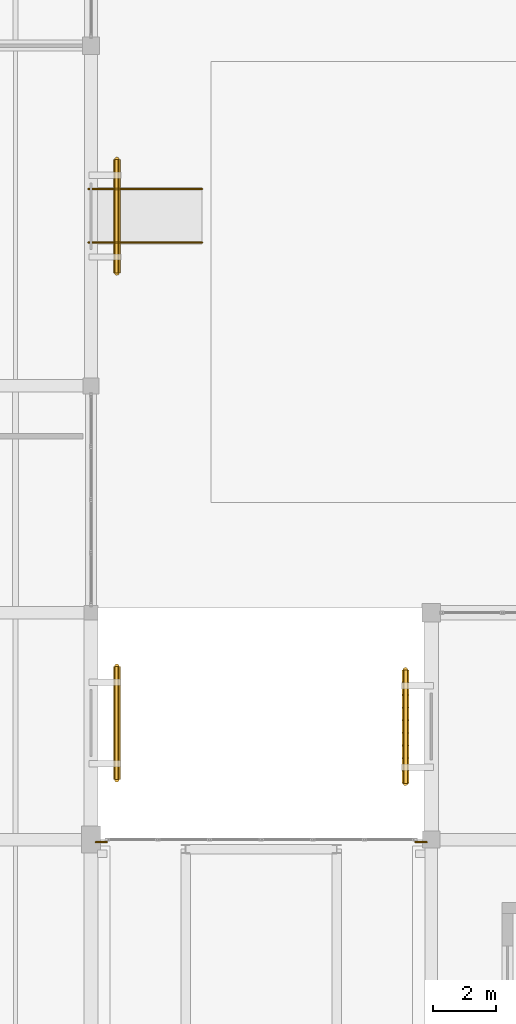
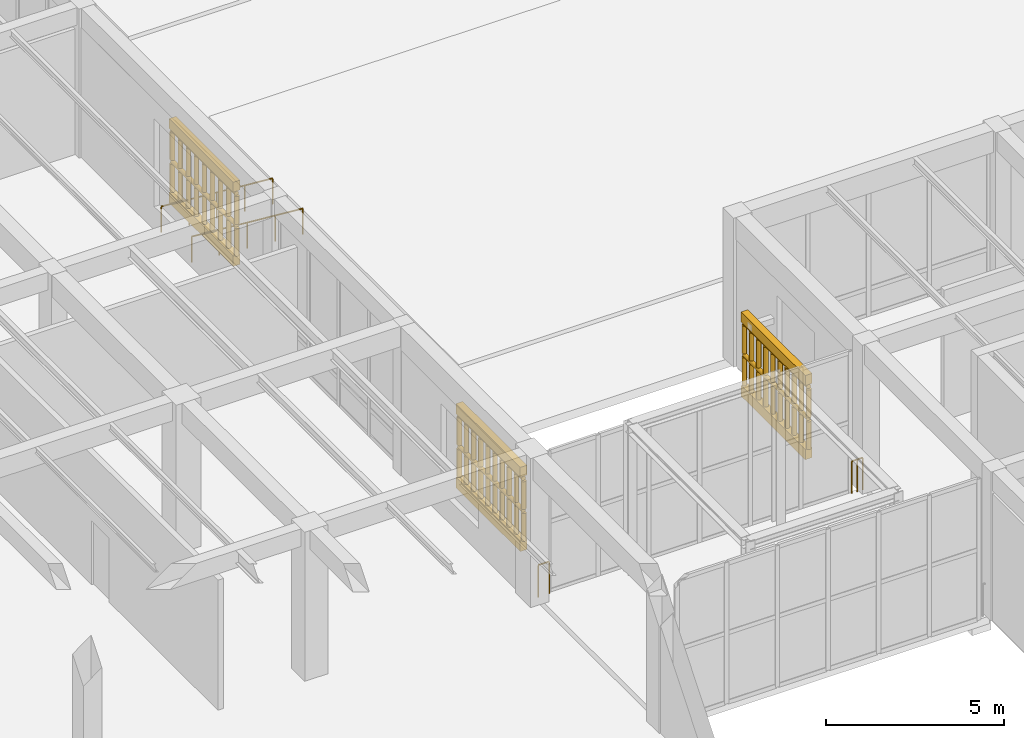
# One storey, part 147 of 169: 10 railings, 6 coverings.
"""IFC4 building model written with IfcOpenShell, lengths in metres."""

from ifc_helpers import new_model, si_unit, direction, frame, origin, origin_2d, place, context, subcontext, project, spatial, polyline, circle, outline, extrude, material, layer, layer_set, type_object, element, save


model = new_model("IFC4")

# Units and contexts
model_context = context("Model", 3, precision=1e-05, world=origin(), true_north=direction((0.0, 1.0)))
body_context = subcontext(model_context, "Body", "Model", "MODEL_VIEW")
ifc_project = project(units=[si_unit("LENGTHUNIT", "METRE"), si_unit("AREAUNIT", "SQUARE_METRE"), si_unit("VOLUMEUNIT", "CUBIC_METRE"), si_unit("PLANEANGLEUNIT", "RADIAN"), si_unit("MASSUNIT", "GRAM", prefix="KILO")], contexts=[model_context])

# Site, building, storey
site_placement = place(None, origin())
site = spatial("IfcSite", under=ifc_project, at=site_placement, CompositionType="ELEMENT")
building_placement = place(site_placement, origin())
building = spatial("IfcBuilding", under=site, at=building_placement, Name="Mazaris Harbour Polytechnic", CompositionType="ELEMENT")
storey_placement = place(building_placement, origin())
storey = spatial("IfcBuildingStorey", under=building, at=storey_placement, Name="L00", CompositionType="ELEMENT", Elevation=0.0)

# Railings
ifc_material_1 = material(Name="Stainless Steel S355", Category="steel")
railing_type_1 = type_object("IfcRailingType", Name="Accessible Ramp Handrail 900", PredefinedType="HANDRAIL", material=ifc_material_1)
for number, where, name in (
    (1, (46.719970703125, 47.75, -0.300048828125), "RAMP-03 Handrail L"),
    (2, (46.719970703125, 49.449951171875, -0.300048828125), "RAMP-03 Handrail R"),
):
    element("IfcRailing", number, at=place(storey_placement, frame(where)), inside=storey, type_object=railing_type_1, Name=name, PredefinedType="HANDRAIL", context=body_context, shape_type="SweptSolid", body=[
        extrude(circle(Radius=0.02392578125, at=origin_2d()), frame((0.0, 0.0, 0.8759765625), z_axis=(-0.996544359788, 0.0, 0.083062259626), x_axis=(0.0, -1.0, 0.0)), (0.0, 0.0, 1.0), 3.6123046875),
        extrude(circle(Radius=0.02099609375, at=origin_2d()), origin(), (0.0, 0.0, 1.0), 0.851806640625),
        extrude(circle(Radius=0.02099609375, at=origin_2d()), frame((-0.89990234375, 0.0, 0.074951171875)), (0.0, 0.0, 1.0), 0.851806640625),
        extrude(circle(Radius=0.02099609375, at=origin_2d()), frame((-1.7998046875, 0.0, 0.14990234375)), (0.0, 0.0, 1.0), 0.851806640625),
        extrude(circle(Radius=0.02099609375, at=origin_2d()), frame((-2.699951171875, 0.0, 0.22509765625)), (0.0, 0.0, 1.0), 0.851806640625),
        extrude(circle(Radius=0.02099609375, at=origin_2d()), frame((-3.599853515625, 0.0, 0.300048828125)), (0.0, 0.0, 1.0), 0.851806640625),
    ])
ifc_material_2 = material(Name="Steel S355", Category="steel")
railing_type_2 = type_object("IfcRailingType", Name="Mezzanine Steel Guardrail 1100 Exterior", PredefinedType="GUARDRAIL", material=ifc_material_2)
railing_1_placement = place(storey_placement, frame((43.35009765625, 28.719970703125, 0.0)))
element("IfcRailing", 3, at=railing_1_placement, inside=storey, type_object=railing_type_2, Name="PB-W1 L00 Bridge End Guard W1", PredefinedType="GUARDRAIL", context=body_context, shape_type="SweptSolid", body=[
    extrude(circle(Radius=0.02392578125, at=origin_2d()), frame((0.0, 0.0, 1.09619140625), z_axis=(1.0, 0.0, 0.0), x_axis=(0.0, 1.0, 0.0)), (0.0, 0.0, 1.0), 0.349853515625),
    extrude(circle(Radius=0.02099609375, at=origin_2d()), origin(), (0.0, 0.0, 1.0), 1.072021484375),
    extrude(circle(Radius=0.02099609375, at=origin_2d()), frame((0.349853515625, 0.0, 0.0)), (0.0, 0.0, 1.0), 1.072021484375),
])
railing_2_placement = place(storey_placement, frame((53.5, 28.719970703125, 0.0)))
element("IfcRailing", 4, at=railing_2_placement, inside=storey, type_object=railing_type_2, Name="PB-W1 L00 Bridge End Guard E1", PredefinedType="GUARDRAIL", context=body_context, shape_type="SweptSolid", body=[
    extrude(circle(Radius=0.02392578125, at=origin_2d()), frame((0.0, 0.0, 1.09619140625), z_axis=(1.0, 0.0, 0.0), x_axis=(0.0, 1.0, 0.0)), (0.0, 0.0, 1.0), 0.35009765625),
    extrude(circle(Radius=0.02099609375, at=origin_2d()), origin(), (0.0, 0.0, 1.0), 1.072021484375),
    extrude(circle(Radius=0.02099609375, at=origin_2d()), frame((0.175048828125, 0.0, 0.0)), (0.0, 0.0, 1.0), 1.072021484375),
    extrude(circle(Radius=0.02099609375, at=origin_2d()), frame((0.35009765625, 0.0, 0.0)), (0.0, 0.0, 1.0), 1.072021484375),
])
ifc_material_3 = material(Name="Perforated Earth-Coloured Terracotta Block", Category="masonry")
railing_type_3 = type_object("IfcRailingType", Name="Perforated Earth-Block Claustra Lattice 1040", PredefinedType="BALUSTRADE", material=ifc_material_3)
for number, where, name in (
    (5, (53.179931640625, 30.58740234375, 0.52001953125), "V3 L00 Lower Perforated Terracotta Block Screen 108"),
    (6, (53.179931640625, 30.58740234375, 1.610107421875), "V3 L00 Upper Perforated Terracotta Block Screen 108"),
):
    element("IfcRailing", number, at=place(storey_placement, frame(where)), inside=storey, type_object=railing_type_3, Name=name, PredefinedType="BALUSTRADE", context=body_context, shape_type="SweptSolid", body=[
        extrude(circle(Radius=0.06982421875, at=origin_2d()), frame((0.0, 0.0, 1.02001953125), z_axis=(0.0, 1.0, 0.0), x_axis=(-1.0, 0.0, 0.0)), (0.0, 0.0, 1.0), 3.60009765625),
        extrude(circle(Radius=0.074951171875, at=origin_2d()), origin(), (0.0, 0.0, 1.0), 0.9501953125),
        extrude(circle(Radius=0.074951171875, at=origin_2d()), frame((0.0, 0.39990234375, 0.0)), (0.0, 0.0, 1.0), 0.9501953125),
        extrude(circle(Radius=0.074951171875, at=origin_2d()), frame((0.0, 0.800048828125, 0.0)), (0.0, 0.0, 1.0), 0.9501953125),
        extrude(circle(Radius=0.074951171875, at=origin_2d()), frame((0.0, 1.199951171875, 0.0)), (0.0, 0.0, 1.0), 0.9501953125),
        extrude(circle(Radius=0.074951171875, at=origin_2d()), frame((0.0, 1.60009765625, 0.0)), (0.0, 0.0, 1.0), 0.9501953125),
        extrude(circle(Radius=0.074951171875, at=origin_2d()), frame((0.0, 2.0, 0.0)), (0.0, 0.0, 1.0), 0.9501953125),
        extrude(circle(Radius=0.074951171875, at=origin_2d()), frame((0.0, 2.400146484375, 0.0)), (0.0, 0.0, 1.0), 0.9501953125),
        extrude(circle(Radius=0.074951171875, at=origin_2d()), frame((0.0, 2.800048828125, 0.0)), (0.0, 0.0, 1.0), 0.9501953125),
        extrude(circle(Radius=0.074951171875, at=origin_2d()), frame((0.0, 3.2001953125, 0.0)), (0.0, 0.0, 1.0), 0.9501953125),
        extrude(circle(Radius=0.074951171875, at=origin_2d()), frame((0.0, 3.60009765625, 0.0)), (0.0, 0.0, 1.0), 0.9501953125),
    ])
for number, where, name in (
    (7, (44.02001953125, 34.300048828125, 0.52001953125), "V4 L00 Lower Perforated Terracotta Block Screen 145"),
    (8, (44.02001953125, 34.300048828125, 1.610107421875), "V4 L00 Upper Perforated Terracotta Block Screen 145"),
):
    element("IfcRailing", number, at=place(storey_placement, frame(where)), inside=storey, type_object=railing_type_3, Name=name, PredefinedType="BALUSTRADE", context=body_context, shape_type="SweptSolid", body=[
        extrude(circle(Radius=0.06982421875, at=origin_2d()), frame((0.0, 0.0, 1.02001953125), z_axis=(0.0, -1.0, 0.0), x_axis=(1.0, 0.0, 0.0)), (0.0, 0.0, 1.0), 3.60009765625),
        extrude(circle(Radius=0.074951171875, at=origin_2d()), origin(), (0.0, 0.0, 1.0), 0.9501953125),
        extrude(circle(Radius=0.074951171875, at=origin_2d()), frame((0.0, -0.39990234375, 0.0)), (0.0, 0.0, 1.0), 0.9501953125),
        extrude(circle(Radius=0.074951171875, at=origin_2d()), frame((0.0, -0.800048828125, 0.0)), (0.0, 0.0, 1.0), 0.9501953125),
        extrude(circle(Radius=0.074951171875, at=origin_2d()), frame((0.0, -1.199951171875, 0.0)), (0.0, 0.0, 1.0), 0.9501953125),
        extrude(circle(Radius=0.074951171875, at=origin_2d()), frame((0.0, -1.60009765625, 0.0)), (0.0, 0.0, 1.0), 0.9501953125),
        extrude(circle(Radius=0.074951171875, at=origin_2d()), frame((0.0, -2.0, 0.0)), (0.0, 0.0, 1.0), 0.9501953125),
        extrude(circle(Radius=0.074951171875, at=origin_2d()), frame((0.0, -2.400146484375, 0.0)), (0.0, 0.0, 1.0), 0.9501953125),
        extrude(circle(Radius=0.074951171875, at=origin_2d()), frame((0.0, -2.800048828125, 0.0)), (0.0, 0.0, 1.0), 0.9501953125),
        extrude(circle(Radius=0.074951171875, at=origin_2d()), frame((0.0, -3.2001953125, 0.0)), (0.0, 0.0, 1.0), 0.9501953125),
        extrude(circle(Radius=0.074951171875, at=origin_2d()), frame((0.0, -3.60009765625, 0.0)), (0.0, 0.0, 1.0), 0.9501953125),
    ])
for number, where, name in (
    (9, (44.02001953125, 50.387451171875, 0.52001953125), "V4 L00 Lower Perforated Terracotta Block Screen 146"),
    (10, (44.02001953125, 50.387451171875, 1.610107421875), "V4 L00 Upper Perforated Terracotta Block Screen 146"),
):
    element("IfcRailing", number, at=place(storey_placement, frame(where)), inside=storey, type_object=railing_type_3, Name=name, PredefinedType="BALUSTRADE", context=body_context, shape_type="SweptSolid", body=[
        extrude(circle(Radius=0.06982421875, at=origin_2d()), frame((0.0, 0.0, 1.02001953125), z_axis=(0.0, -1.0, 0.0), x_axis=(1.0, 0.0, 0.0)), (0.0, 0.0, 1.0), 3.599853515625),
        extrude(circle(Radius=0.074951171875, at=origin_2d()), origin(), (0.0, 0.0, 1.0), 0.9501953125),
        extrude(circle(Radius=0.074951171875, at=origin_2d()), frame((0.0, -0.449951171875, 0.0)), (0.0, 0.0, 1.0), 0.9501953125),
        extrude(circle(Radius=0.074951171875, at=origin_2d()), frame((0.0, -0.89990234375, 0.0)), (0.0, 0.0, 1.0), 0.9501953125),
        extrude(circle(Radius=0.074951171875, at=origin_2d()), frame((0.0, -1.349853515625, 0.0)), (0.0, 0.0, 1.0), 0.9501953125),
        extrude(circle(Radius=0.074951171875, at=origin_2d()), frame((0.0, -1.7998046875, 0.0)), (0.0, 0.0, 1.0), 0.9501953125),
        extrude(circle(Radius=0.074951171875, at=origin_2d()), frame((0.0, -2.25, 0.0)), (0.0, 0.0, 1.0), 0.9501953125),
        extrude(circle(Radius=0.074951171875, at=origin_2d()), frame((0.0, -2.699951171875, 0.0)), (0.0, 0.0, 1.0), 0.9501953125),
        extrude(circle(Radius=0.074951171875, at=origin_2d()), frame((0.0, -3.14990234375, 0.0)), (0.0, 0.0, 1.0), 0.9501953125),
        extrude(circle(Radius=0.074951171875, at=origin_2d()), frame((0.0, -3.599853515625, 0.0)), (0.0, 0.0, 1.0), 0.9501953125),
    ])

# Coverings
ifc_material_4 = material(Name="Perforated Earth-Coloured Terracotta Block", Category="masonry")
ifc_layer = layer(ifc_material_4, 0.219970703125, Name="Perforated Earth-Coloured Terracotta Block")
ifc_layer_set = layer_set([ifc_layer], Name="Perforated Earth-Coloured Terracotta Block")
covering_type = type_object("IfcCoveringType", Name="Terracotta Screen Course Cladding 220", PredefinedType="CLADDING", material=ifc_layer_set)
covering_1_placement = place(storey_placement, frame((0.0, 0.0, 0.159912109375)))
element("IfcCovering", 11, at=covering_1_placement, inside=storey, type_object=covering_type, Name="V3 L00 Perforated Screen Sill Course 108", PredefinedType="CLADDING", context=body_context, shape_type="SweptSolid", body=[
    extrude(outline(polyline([(53.2900390625, 30.58740234375), (53.2900390625, 34.1875), (53.070068359375, 34.1875), (53.070068359375, 30.58740234375), (53.2900390625, 30.58740234375)])), origin(), (0.0, 0.0, 1.0), 0.360107421875),
])
covering_2_placement = place(storey_placement, frame((0.0, 0.0, 2.699951171875)))
element("IfcCovering", 12, at=covering_2_placement, inside=storey, type_object=covering_type, Name="V3 L00 Perforated Screen Lintel Course 108", PredefinedType="CLADDING", context=body_context, shape_type="SweptSolid", body=[
    extrude(outline(polyline([(53.2900390625, 30.58740234375), (53.2900390625, 34.1875), (53.070068359375, 34.1875), (53.070068359375, 30.58740234375), (53.2900390625, 30.58740234375)])), origin(), (0.0, 0.0, 1.0), 0.340087890625),
])
covering_3_placement = place(storey_placement, frame((0.0, 0.0, 0.159912109375)))
element("IfcCovering", 13, at=covering_3_placement, inside=storey, type_object=covering_type, Name="V4 L00 Perforated Screen Sill Course 145", PredefinedType="CLADDING", context=body_context, shape_type="SweptSolid", body=[
    extrude(outline(polyline([(43.909912109375, 34.300048828125), (43.909912109375, 30.699951171875), (44.1298828125, 30.699951171875), (44.1298828125, 34.300048828125), (43.909912109375, 34.300048828125)])), origin(), (0.0, 0.0, 1.0), 0.360107421875),
])
covering_4_placement = place(storey_placement, frame((0.0, 0.0, 2.699951171875)))
element("IfcCovering", 14, at=covering_4_placement, inside=storey, type_object=covering_type, Name="V4 L00 Perforated Screen Lintel Course 145", PredefinedType="CLADDING", context=body_context, shape_type="SweptSolid", body=[
    extrude(outline(polyline([(43.909912109375, 34.300048828125), (43.909912109375, 30.699951171875), (44.1298828125, 30.699951171875), (44.1298828125, 34.300048828125), (43.909912109375, 34.300048828125)])), origin(), (0.0, 0.0, 1.0), 0.340087890625),
])
covering_5_placement = place(storey_placement, frame((0.0, 0.0, 0.159912109375)))
element("IfcCovering", 15, at=covering_5_placement, inside=storey, type_object=covering_type, Name="V4 L00 Perforated Screen Sill Course 146", PredefinedType="CLADDING", context=body_context, shape_type="SweptSolid", body=[
    extrude(outline(polyline([(43.909912109375, 50.387451171875), (43.909912109375, 46.78759765625), (44.1298828125, 46.78759765625), (44.1298828125, 50.387451171875), (43.909912109375, 50.387451171875)])), origin(), (0.0, 0.0, 1.0), 0.360107421875),
])
covering_6_placement = place(storey_placement, frame((0.0, 0.0, 2.699951171875)))
element("IfcCovering", 16, at=covering_6_placement, inside=storey, type_object=covering_type, Name="V4 L00 Perforated Screen Lintel Course 146", PredefinedType="CLADDING", context=body_context, shape_type="SweptSolid", body=[
    extrude(outline(polyline([(43.909912109375, 50.387451171875), (43.909912109375, 46.78759765625), (44.1298828125, 46.78759765625), (44.1298828125, 50.387451171875), (43.909912109375, 50.387451171875)])), origin(), (0.0, 0.0, 1.0), 0.340087890625),
])

save(model, "model.ifc")
